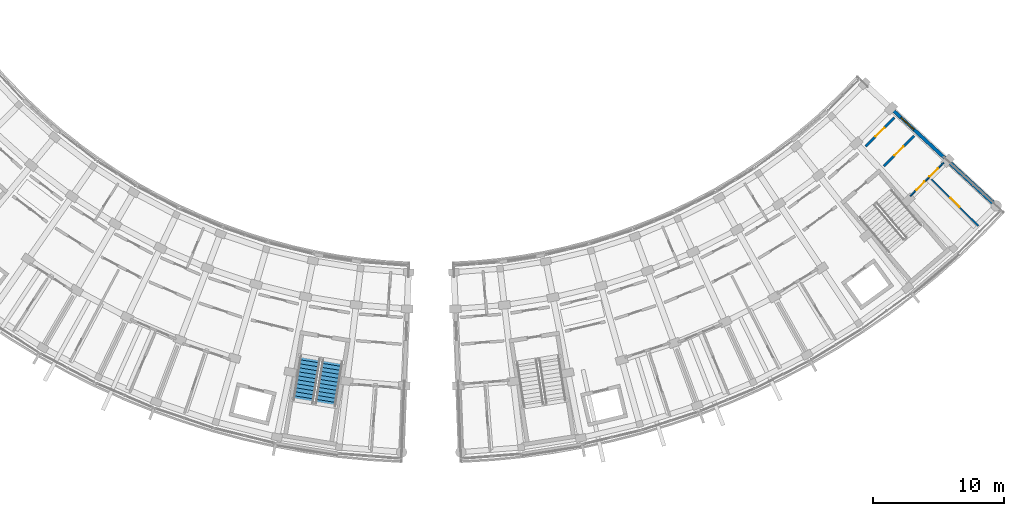
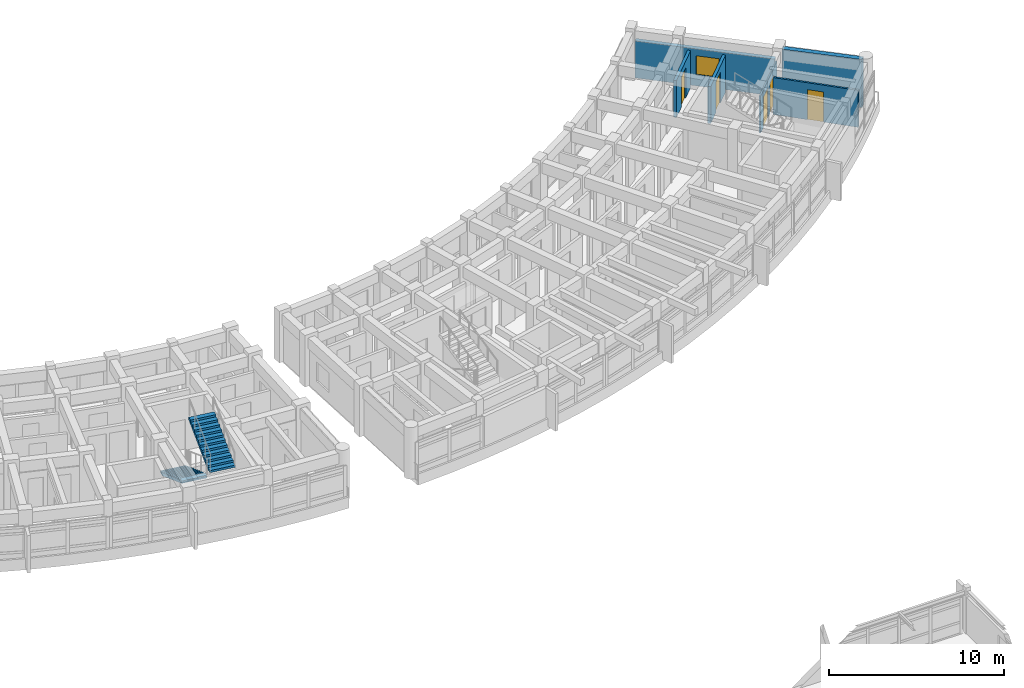
# One storey, part 69 of 83: 6 walls, 5 doors, 2 stair flights, 1 window, 6 openings, 1 element without a shape of its own.
"""IFC4 building model written with IfcOpenShell, lengths in metres."""

from ifc_helpers import new_model, si_unit, direction, frame, frame_2d, origin, place, context, subcontext, project, spatial, polyline, rectangle, outline, extrude, material, layer, layer_set, type_object, element, fill, aggregate, save


model = new_model("IFC4")

# Units and contexts
model_context = context("Model", 3, precision=1e-05, world=origin(), true_north=direction((0.0, 1.0)))
body_context = subcontext(model_context, "Body", "Model", "MODEL_VIEW")
ifc_project = project(units=[si_unit("LENGTHUNIT", "METRE"), si_unit("AREAUNIT", "SQUARE_METRE"), si_unit("VOLUMEUNIT", "CUBIC_METRE"), si_unit("PLANEANGLEUNIT", "RADIAN"), si_unit("MASSUNIT", "GRAM", prefix="KILO")], contexts=[model_context])

# Site, building, storey
site_placement = place(None, origin())
site = spatial("IfcSite", under=ifc_project, at=site_placement, CompositionType="ELEMENT")
building_placement = place(site_placement, origin())
building = spatial("IfcBuilding", under=site, at=building_placement, Name="Zimvara Arc Housing Community", CompositionType="ELEMENT")
storey_placement = place(building_placement, frame((0.0, 0.0, 4.5)))
storey = spatial("IfcBuildingStorey", under=building, at=storey_placement, Name="L01", CompositionType="ELEMENT", Elevation=4.5)

# Wall, opening, window
ifc_material_1 = material(Name="Board-Marked Fair-Faced Concrete C35/45", Category="concrete")
ifc_layer_1 = layer(ifc_material_1, 0.264892578125)
ifc_layer_set_1 = layer_set([ifc_layer_1], Name="Board-Marked Fair-Faced Concrete C35/45")
wall_type_1 = type_object("IfcWallType", Name="EWL-CONC-265", PredefinedType="SOLIDWALL", material=ifc_layer_set_1)
wall_1_placement = place(storey_placement, frame((159.261962890625, 79.04052734375, 0.0), z_axis=(0.0, 0.0, 1.0), x_axis=(0.733738684326, -0.679431779595, 0.0)))
wall_1 = element("IfcWall", 1, at=wall_1_placement, inside=storey, type_object=wall_type_1, Name="ewall:blkD:L01:gN", PredefinedType="SOLIDWALL", context=body_context, shape_type="SweptSolid", body=[
    extrude(rectangle(XDim=8.199951171875, YDim=0.264892578125, at=frame_2d((4.10009765625, 0.0))), origin(), (0.0, 0.0, 1.0), 2.580078125),
])
opening_1_placement = place(wall_1_placement, frame((3.590087890625, 0.0, 0.75)))
opening_1 = element("IfcOpeningElement", 2, at=opening_1_placement, cuts=wall_1, Name="Opening W12", PredefinedType="OPENING", context=body_context, shape_type="SweptSolid", body=[
    extrude(rectangle(XDim=1.35009765625, YDim=1.35009765625, at=frame_2d((0.675048828125, 0.675048828125))), frame((0.0, 0.142333984375, 0.0), z_axis=(0.0, -1.0, 0.0), x_axis=(1.0, 0.0, 0.0)), (0.0, 0.0, 1.0), 0.284912109375),
])
ifc_material_2 = material(Name="Solar Control Low-E Double Glazing", Category="glass")
window_type = type_object("IfcWindowType", Name="WIN-RES-1350x1350", PartitioningType="DOUBLE_PANEL_VERTICAL", PredefinedType="WINDOW", material=ifc_material_2)
window_placement = place(opening_1_placement, origin())
window = element("IfcWindow", 3, at=window_placement, inside=storey, type_object=window_type, Name="win:blkD:L01:gN:w", OverallHeight=1.35009765625, OverallWidth=1.35009765625, PartitioningType="DOUBLE_PANEL_VERTICAL", PredefinedType="WINDOW", context=body_context, shape_type="SweptSolid", body=[
    extrude(rectangle(XDim=1.35009765625, YDim=1.35009765625, at=frame_2d((0.675048828125, 0.675048828125))), frame((0.0, 0.030029296875, 0.0), z_axis=(0.0, -1.0, 0.0), x_axis=(1.0, 0.0, 0.0)), (0.0, 0.0, 1.0), 0.06005859375),
])
fill(opening_1, window)

# Wall, opening, door
ifc_material_3 = material(Name="Concrete C35/45", Category="concrete")
ifc_layer_2 = layer(ifc_material_3, 0.18994140625)
ifc_layer_set_2 = layer_set([ifc_layer_2], Name="Concrete C35/45")
wall_type_2 = type_object("IfcWallType", Name="IWL-CORR-190", PredefinedType="SOLIDWALL", material=ifc_layer_set_2)
wall_2_placement = place(storey_placement, frame((160.576416015625, 72.8837890625, 0.0), z_axis=(0.0, 0.0, 1.0), x_axis=(0.70773973846, 0.706473256822, 0.0)))
wall_2 = element("IfcWall", 4, at=wall_2_placement, inside=storey, type_object=wall_type_2, Name="iwall:blkD:L01:corr_out:b9", PredefinedType="SOLIDWALL", context=body_context, shape_type="SweptSolid", body=[
    extrude(rectangle(XDim=3.277099609375, YDim=0.18994140625, at=frame_2d((1.638671875, 0.0))), origin(), (0.0, 0.0, 1.0), 2.580078125),
])
opening_2_placement = place(wall_2_placement, frame((1.1484375, 0.0, 0.0)))
opening_2 = element("IfcOpeningElement", 5, at=opening_2_placement, cuts=wall_2, Name="Opening FD-FL1", PredefinedType="OPENING", context=body_context, shape_type="SweptSolid", body=[
    extrude(rectangle(XDim=0.97998046875, YDim=2.14990234375, at=frame_2d((0.489990234375, 1.074951171875))), frame((0.0, 0.10498046875, 0.0), z_axis=(0.0, -1.0, 0.0), x_axis=(1.0, 0.0, 0.0)), (0.0, 0.0, 1.0), 0.2099609375),
])
ifc_material_4 = material(Name="Mozambican Hardwood", Category="wood")
door_type_1 = type_object("IfcDoorType", Name="IDR-FLAT-0980x2150", OperationType="NOTDEFINED", PredefinedType="DOOR", material=ifc_material_4)
door_1_placement = place(opening_2_placement, origin())
door_1 = element("IfcDoor", 6, at=door_1_placement, inside=storey, type_object=door_type_1, Name="idoor:blkD:L01:flat:b9", OperationType="SINGLE_SWING_LEFT", OverallHeight=2.14990234375, OverallWidth=0.97998046875, PredefinedType="DOOR", context=body_context, shape_type="SweptSolid", body=[
    extrude(rectangle(XDim=0.97998046875, YDim=2.14990234375, at=frame_2d((0.489990234375, 1.074951171875))), frame((0.0, 0.02490234375, 0.0), z_axis=(0.0, -1.0, 0.0), x_axis=(1.0, 0.0, 0.0)), (0.0, 0.0, 1.0), 0.050048828125),
])
fill(opening_2, door_1)

wall_3_placement = place(storey_placement, frame((159.186279296875, 74.390380859375, 0.0), z_axis=(0.0, 0.0, 1.0), x_axis=(0.70773330139, 0.706479705373, 0.0)))
wall_3 = element("IfcWall", 7, at=wall_3_placement, inside=storey, type_object=wall_type_2, Name="iwall:blkD:L01:corr_in:b9", PredefinedType="SOLIDWALL", context=body_context, shape_type="SweptSolid", body=[
    extrude(rectangle(XDim=3.115966796875, YDim=0.18994140625, at=frame_2d((1.55810546875, 0.0))), origin(), (0.0, 0.0, 1.0), 2.580078125),
])
opening_3_placement = place(wall_3_placement, frame((1.087890625, 0.0, 0.0)))
opening_3 = element("IfcOpeningElement", 8, at=opening_3_placement, cuts=wall_3, Name="Opening D03", PredefinedType="OPENING", context=body_context, shape_type="SweptSolid", body=[
    extrude(rectangle(XDim=0.93994140625, YDim=2.10009765625, at=frame_2d((0.469970703125, 1.050048828125))), frame((0.0, 0.10498046875, 0.0), z_axis=(0.0, -1.0, 0.0), x_axis=(1.0, 0.0, 0.0)), (0.0, 0.0, 1.0), 0.2099609375),
])
ifc_material_5 = material(Name="Mozambican Hardwood", Category="wood")
door_type_2 = type_object("IfcDoorType", Name="IDR-RM-0940x2100", OperationType="NOTDEFINED", PredefinedType="DOOR", material=ifc_material_5)
door_2_placement = place(opening_3_placement, origin())
door_2 = element("IfcDoor", 9, at=door_2_placement, inside=storey, type_object=door_type_2, Name="idoor:blkD:L01:in_rm:b9", OperationType="SINGLE_SWING_RIGHT", OverallHeight=2.10009765625, OverallWidth=0.93994140625, PredefinedType="DOOR", context=body_context, shape_type="SweptSolid", body=[
    extrude(rectangle(XDim=0.93994140625, YDim=2.10009765625, at=frame_2d((0.469970703125, 1.050048828125))), frame((0.0, 0.02490234375, 0.0), z_axis=(0.0, -1.0, 0.0), x_axis=(1.0, 0.0, 0.0)), (0.0, 0.0, 1.0), 0.050048828125),
])
fill(opening_3, door_2)

# Wall, openings, doors
ifc_material_6 = material(Name="Painted Acoustic Plasterboard")
ifc_layer_3 = layer(ifc_material_6, 0.10498046875)
ifc_layer_set_3 = layer_set([ifc_layer_3], Name="Painted Acoustic Plasterboard")
wall_type_3 = type_object("IfcWallType", Name="IWL-PART-105", PredefinedType="PARTITIONING", material=ifc_layer_set_3)
wall_4_placement = place(storey_placement, frame((162.609375, 70.60693359375, 0.0), z_axis=(0.0, 0.0, 1.0), x_axis=(0.707714058013, 0.70649898237, 0.0)))
wall_4 = element("IfcWall", 10, at=wall_4_placement, inside=storey, type_object=wall_type_3, Name="iwall:blkD:L01:srv:b9", PredefinedType="PARTITIONING", context=body_context, shape_type="SweptSolid", body=[
    extrude(rectangle(XDim=3.61669921875, YDim=0.10498046875, at=frame_2d((1.808349609375, 0.0))), origin(), (0.0, 0.0, 1.0), 2.580078125),
])
opening_4_placement = place(wall_4_placement, frame((0.64990234375, 0.0, 0.0)))
opening_4 = element("IfcOpeningElement", 11, at=opening_4_placement, cuts=wall_4, Name="Opening D01", PredefinedType="OPENING", context=body_context, shape_type="SweptSolid", body=[
    extrude(rectangle(XDim=0.89990234375, YDim=2.10009765625, at=frame_2d((0.449951171875, 1.050048828125))), frame((0.0, 0.0625, 0.0), z_axis=(0.0, -1.0, 0.0), x_axis=(1.0, 0.0, 0.0)), (0.0, 0.0, 1.0), 0.125),
])
opening_5_placement = place(wall_4_placement, frame((2.08642578125, 0.0, 0.0)))
opening_5 = element("IfcOpeningElement", 12, at=opening_5_placement, cuts=wall_4, Name="Opening D05", PredefinedType="OPENING", context=body_context, shape_type="SweptSolid", body=[
    extrude(rectangle(XDim=0.8798828125, YDim=2.10009765625, at=frame_2d((0.43994140625, 1.050048828125))), frame((0.0, 0.0625, 0.0), z_axis=(0.0, -1.0, 0.0), x_axis=(1.0, 0.0, 0.0)), (0.0, 0.0, 1.0), 0.125),
])
ifc_material_7 = material(Name="Mozambican Hardwood", Category="wood")
door_type_3 = type_object("IfcDoorType", Name="IDR-RM-0900x2100", OperationType="NOTDEFINED", PredefinedType="DOOR", material=ifc_material_7)
door_3_placement = place(opening_4_placement, origin())
door_3 = element("IfcDoor", 13, at=door_3_placement, inside=storey, type_object=door_type_3, Name="idoor:blkD:L01:kit_liv:b9", OperationType="SINGLE_SWING_LEFT", OverallHeight=2.10009765625, OverallWidth=0.89990234375, PredefinedType="DOOR", context=body_context, shape_type="SweptSolid", body=[
    extrude(rectangle(XDim=0.89990234375, YDim=2.10009765625, at=frame_2d((0.449951171875, 1.050048828125))), frame((0.0, 0.02490234375, 0.0), z_axis=(0.0, -1.0, 0.0), x_axis=(1.0, 0.0, 0.0)), (0.0, 0.0, 1.0), 0.050048828125),
])
fill(opening_4, door_3)
ifc_material_8 = material(Name="Mozambican Hardwood", Category="wood")
door_type_4 = type_object("IfcDoorType", Name="IDR-WC-0880x2100", OperationType="NOTDEFINED", PredefinedType="DOOR", material=ifc_material_8)
door_4_placement = place(opening_5_placement, origin())
door_4 = element("IfcDoor", 14, at=door_4_placement, inside=storey, type_object=door_type_4, Name="idoor:blkD:L01:bath_d:b9", OperationType="SINGLE_SWING_RIGHT", OverallHeight=2.10009765625, OverallWidth=0.8798828125, PredefinedType="DOOR", context=body_context, shape_type="SweptSolid", body=[
    extrude(rectangle(XDim=0.8798828125, YDim=2.10009765625, at=frame_2d((0.43994140625, 1.050048828125))), frame((0.0, 0.02490234375, 0.0), z_axis=(0.0, -1.0, 0.0), x_axis=(1.0, 0.0, 0.0)), (0.0, 0.0, 1.0), 0.050048828125),
])
fill(opening_5, door_4)

# Wall, opening, door
ifc_material_9 = material(Name="Painted Acoustic Plasterboard")
ifc_layer_4 = layer(ifc_material_9, 0.1201171875)
ifc_layer_set_4 = layer_set([ifc_layer_4], Name="Painted Acoustic Plasterboard")
wall_type_4 = type_object("IfcWallType", Name="IWL-PART-120", PredefinedType="PARTITIONING", material=ifc_layer_set_4)
wall_5_placement = place(storey_placement, frame((164.224853515625, 71.879150390625, 0.0), z_axis=(0.0, 0.0, 1.0), x_axis=(0.709543935341, -0.704661197897, 0.0)))
wall_5 = element("IfcWall", 15, at=wall_5_placement, inside=storey, type_object=wall_type_4, Name="iwall:blkD:L01:bed_div:b9", PredefinedType="PARTITIONING", context=body_context, shape_type="SweptSolid", body=[
    extrude(rectangle(XDim=5.050048828125, YDim=0.1201171875, at=frame_2d((2.52490234375, 0.0))), origin(), (0.0, 0.0, 1.0), 2.580078125),
])
opening_6_placement = place(wall_5_placement, frame((2.044921875, 0.0, 0.0)))
opening_6 = element("IfcOpeningElement", 16, at=opening_6_placement, cuts=wall_5, Name="Opening D04", PredefinedType="OPENING", context=body_context, shape_type="SweptSolid", body=[
    extrude(rectangle(XDim=0.9599609375, YDim=2.10009765625, at=frame_2d((0.47998046875, 1.050048828125))), frame((0.0, 0.070068359375, 0.0), z_axis=(0.0, -1.0, 0.0), x_axis=(1.0, 0.0, 0.0)), (0.0, 0.0, 1.0), 0.14013671875),
])
ifc_material_10 = material(Name="Mozambican Hardwood", Category="wood")
door_type_5 = type_object("IfcDoorType", Name="IDR-RM-0960x2100", OperationType="NOTDEFINED", PredefinedType="DOOR", material=ifc_material_10)
door_5_placement = place(opening_6_placement, origin())
door_5 = element("IfcDoor", 17, at=door_5_placement, inside=storey, type_object=door_type_5, Name="idoor:blkD:L01:bed_d:b9", OperationType="SINGLE_SWING_LEFT", OverallHeight=2.10009765625, OverallWidth=0.9599609375, PredefinedType="DOOR", context=body_context, shape_type="SweptSolid", body=[
    extrude(rectangle(XDim=0.9599609375, YDim=2.10009765625, at=frame_2d((0.47998046875, 1.050048828125))), frame((0.0, 0.02490234375, 0.0), z_axis=(0.0, -1.0, 0.0), x_axis=(1.0, 0.0, 0.0)), (0.0, 0.0, 1.0), 0.050048828125),
])
fill(opening_6, door_5)

# Wall
ifc_material_11 = material(Name="Concrete C40/50", Category="concrete")
ifc_layer_5 = layer(ifc_material_11, 0.31005859375)
ifc_layer_set_5 = layer_set([ifc_layer_5], Name="Concrete C40/50")
wall_type_5 = type_object("IfcWallType", Name="WL-SHEAR-310", PredefinedType="SHEAR", material=ifc_layer_set_5)
wall_6_placement = place(storey_placement, frame((165.586669921875, 73.183837890625, 0.0), z_axis=(0.0, 0.0, 1.0), x_axis=(0.733739663667, -0.679430721974, 0.0)))
element("IfcWall", 18, at=wall_6_placement, inside=storey, type_object=wall_type_5, Name="swall:blkD:L01:east", PredefinedType="SHEAR", context=body_context, shape_type="SweptSolid", body=[
    extrude(rectangle(XDim=4.72021484375, YDim=0.31005859375, at=frame_2d((2.360107421875, 0.0))), origin(), (0.0, 0.0, 1.0), 3.360107421875),
])

# Stair, stair flights
ifc_material_12 = material(Name="Concrete C35/45", Category="concrete")
stair_type = type_object("IfcStairType", Name="STR-DL-310-360", PredefinedType="HALF_TURN_STAIR", material=ifc_material_12)
stair_placement = place(storey_placement, origin())
stair = element("IfcStair", 19, at=stair_placement, inside=storey, type_object=stair_type, Name="L01 Block C Exit Stair 2", PredefinedType="HALF_TURN_STAIR")
ifc_material_13 = material(Name="Concrete C35/45", Category="concrete")
stair_flight_type = type_object("IfcStairFlightType", Name="STF-DL-310-360", PredefinedType="STRAIGHT", material=ifc_material_13)
stair_flight_1_placement = place(storey_placement, frame((116.7353515625, 58.27490234375, 0.0), z_axis=(0.0, 0.0, 1.0), x_axis=(-0.160225753504, -0.987080395872, 0.0)))
stair_flight_1 = element("IfcStairFlight", 20, at=stair_flight_1_placement, type_object=stair_flight_type, Name="ST-C2 flight 1", NumberOfRisers=12, NumberOfTreads=11, PredefinedType="STRAIGHT", RiserHeight=0.15, TreadLength=0.31, context=body_context, shape_type="SweptSolid", body=[
    extrude(outline(polyline([(0.0, 0.0), (0.0, 0.14990234375), (0.31005859375, 0.14990234375), (0.31005859375, 0.300048828125), (0.6201171875, 0.300048828125), (0.6201171875, 0.449951171875), (0.929931640625, 0.449951171875), (0.929931640625, 0.60009765625), (1.239990234375, 0.60009765625), (1.239990234375, 0.75), (1.550048828125, 0.75), (1.550048828125, 0.89990234375), (1.860107421875, 0.89990234375), (1.860107421875, 1.050048828125), (2.169921875, 1.050048828125), (2.169921875, 1.199951171875), (2.47998046875, 1.199951171875), (2.47998046875, 1.35009765625), (2.7900390625, 1.35009765625), (2.7900390625, 1.5), (3.10009765625, 1.5), (3.10009765625, 1.64990234375), (3.409912109375, 1.64990234375), (3.409912109375, 1.800048828125), (3.409912109375, 1.4833984375), (0.34423828125, 0.0), (0.0, 0.0)])), frame((0.0, 0.780029296875, 0.0), z_axis=(0.0, -1.0, 0.0), x_axis=(1.0, 0.0, 0.0)), (0.0, 0.0, 1.0), 1.56005859375),
])
stair_flight_2_placement = place(storey_placement, frame((117.88671875, 54.63330078125, 1.800048828125), z_axis=(0.0, 0.0, 1.0), x_axis=(0.160225753504, 0.987080395872, 0.0)))
stair_flight_2 = element("IfcStairFlight", 21, at=stair_flight_2_placement, type_object=stair_flight_type, Name="ST-C2 flight 2", NumberOfRisers=12, NumberOfTreads=11, PredefinedType="STRAIGHT", RiserHeight=0.15, TreadLength=0.31, context=body_context, shape_type="SweptSolid", body=[
    extrude(outline(polyline([(0.0, 0.0), (0.0, 0.14990234375), (0.31005859375, 0.14990234375), (0.31005859375, 0.300048828125), (0.6201171875, 0.300048828125), (0.6201171875, 0.449951171875), (0.929931640625, 0.449951171875), (0.929931640625, 0.60009765625), (1.239990234375, 0.60009765625), (1.239990234375, 0.75), (1.550048828125, 0.75), (1.550048828125, 0.89990234375), (1.860107421875, 0.89990234375), (1.860107421875, 1.050048828125), (2.169921875, 1.050048828125), (2.169921875, 1.199951171875), (2.47998046875, 1.199951171875), (2.47998046875, 1.35009765625), (2.7900390625, 1.35009765625), (2.7900390625, 1.5), (3.10009765625, 1.5), (3.10009765625, 1.64990234375), (3.409912109375, 1.64990234375), (3.409912109375, 1.800048828125), (3.409912109375, 1.4833984375), (0.34423828125, 0.0), (0.0, 0.0)])), frame((0.0, 0.780029296875, 0.0), z_axis=(0.0, -1.0, 0.0), x_axis=(1.0, 0.0, 0.0)), (0.0, 0.0, 1.0), 1.56005859375),
])
aggregate(stair, [stair_flight_1, stair_flight_2])

save(model, "model.ifc")
